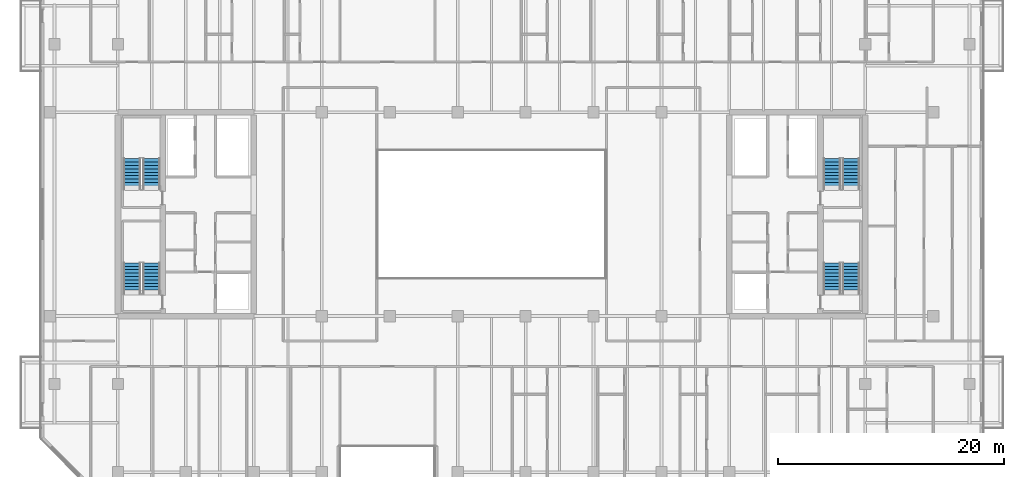
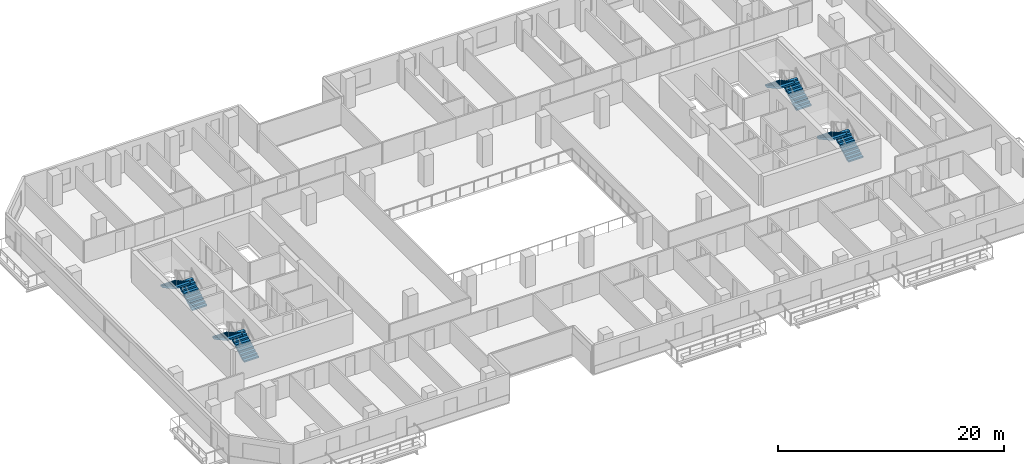
# One storey, part 17 of 23: 8 stair flights, 4 elements without a shape of their own.
"""IFC4 building model written with IfcOpenShell, lengths in metres."""

from ifc_helpers import new_model, si_unit, direction, frame, origin, place, context, subcontext, project, spatial, polyline, outline, extrude, material, type_object, element, aggregate, save


model = new_model("IFC4")

# Units and contexts
model_context = context("Model", 3, precision=1e-05, world=origin(), true_north=direction((0.0, 1.0)))
body_context = subcontext(model_context, "Body", "Model", "MODEL_VIEW")
ifc_project = project(units=[si_unit("LENGTHUNIT", "METRE"), si_unit("AREAUNIT", "SQUARE_METRE"), si_unit("VOLUMEUNIT", "CUBIC_METRE"), si_unit("PLANEANGLEUNIT", "RADIAN"), si_unit("MASSUNIT", "GRAM", prefix="KILO")], contexts=[model_context])

# Site, building, storey
site_placement = place(None, origin())
site = spatial("IfcSite", under=ifc_project, at=site_placement, CompositionType="ELEMENT")
building_placement = place(site_placement, origin())
building = spatial("IfcBuilding", under=site, at=building_placement, Name="Tanjung Sevakor Pilgrim Tower", CompositionType="ELEMENT")
storey_placement = place(building_placement, frame((0.0, 0.0, 101.969970703125)))
storey = spatial("IfcBuildingStorey", under=building, at=storey_placement, Name="L28", CompositionType="ELEMENT", Elevation=101.969970703125)

# Stair, stair flights
ifc_material_1 = material(Name="Concrete C40/50", Category="concrete")
stair_type = type_object("IfcStairType", Name="STAIR-ST-CR150", PredefinedType="HALF_TURN_STAIR", material=ifc_material_1)
stair_1_placement = place(storey_placement, origin())
stair_1 = element("IfcStair", 1, at=stair_1_placement, inside=storey, type_object=stair_type, Name="L28 West Core Exit Stair 1", PredefinedType="HALF_TURN_STAIR")
ifc_material_2 = material(Name="Concrete C40/50", Category="concrete")
stair_flight_type = type_object("IfcStairFlightType", Name="FLIGHT-ST-CR150", PredefinedType="STRAIGHT", material=ifc_material_2)
stair_flight_1_placement = place(storey_placement, frame((26.949951171875, 26.60009765625, 0.0), z_axis=(0.0, 0.0, 1.0), x_axis=(0.0, 1.0, 0.0)))
stair_flight_1 = element("IfcStairFlight", 2, at=stair_flight_1_placement, type_object=stair_flight_type, Name="TS-W1 flight 1", NumberOfRisers=10, NumberOfTreads=9, PredefinedType="STRAIGHT", RiserHeight=0.165, TreadLength=0.3, context=body_context, shape_type="SweptSolid", body=[
    extrude(outline(polyline([(0.0, 0.0), (0.0, 0.1650390625), (0.300048828125, 0.1650390625), (0.300048828125, 0.330078125), (0.60009765625, 0.330078125), (0.60009765625, 0.4951171875), (0.89990234375, 0.4951171875), (0.89990234375, 0.659912109375), (1.199951171875, 0.659912109375), (1.199951171875, 0.824951171875), (1.5, 0.824951171875), (1.5, 0.989990234375), (1.800048828125, 0.989990234375), (1.800048828125, 1.155029296875), (2.10009765625, 1.155029296875), (2.10009765625, 1.320068359375), (2.39990234375, 1.320068359375), (2.39990234375, 1.485107421875), (2.699951171875, 1.485107421875), (2.699951171875, 1.64990234375), (2.699951171875, 1.302490234375), (0.331787109375, 0.0), (0.0, 0.0)])), frame((0.0, 0.75, 0.0), z_axis=(0.0, -1.0, 0.0), x_axis=(1.0, 0.0, 0.0)), (0.0, 0.0, 1.0), 1.5),
])
stair_flight_2_placement = place(storey_placement, frame((25.25, 29.300048828125, 1.650146484375), z_axis=(0.0, 0.0, 1.0), x_axis=(0.0, -1.0, 0.0)))
stair_flight_2 = element("IfcStairFlight", 3, at=stair_flight_2_placement, type_object=stair_flight_type, Name="TS-W1 flight 2", NumberOfRisers=10, NumberOfTreads=9, PredefinedType="STRAIGHT", RiserHeight=0.165, TreadLength=0.3, context=body_context, shape_type="SweptSolid", body=[
    extrude(outline(polyline([(0.0, 0.0), (0.0, 0.1650390625), (0.300048828125, 0.1650390625), (0.300048828125, 0.330078125), (0.60009765625, 0.330078125), (0.60009765625, 0.4951171875), (0.89990234375, 0.4951171875), (0.89990234375, 0.659912109375), (1.199951171875, 0.659912109375), (1.199951171875, 0.824951171875), (1.5, 0.824951171875), (1.5, 0.989990234375), (1.800048828125, 0.989990234375), (1.800048828125, 1.155029296875), (2.10009765625, 1.155029296875), (2.10009765625, 1.320068359375), (2.39990234375, 1.320068359375), (2.39990234375, 1.485107421875), (2.699951171875, 1.485107421875), (2.699951171875, 1.64990234375), (2.699951171875, 1.302490234375), (0.331787109375, 0.0), (0.0, 0.0)])), frame((0.0, 0.75, 0.0), z_axis=(0.0, -1.0, 0.0), x_axis=(1.0, 0.0, 0.0)), (0.0, 0.0, 1.0), 1.5),
])
aggregate(stair_1, [stair_flight_1, stair_flight_2])

stair_2_placement = place(storey_placement, origin())
stair_2 = element("IfcStair", 4, at=stair_2_placement, inside=storey, type_object=stair_type, Name="L28 West Core Exit Stair 2", PredefinedType="HALF_TURN_STAIR")
stair_flight_3_placement = place(storey_placement, frame((26.949951171875, 35.800048828125, 0.0), z_axis=(0.0, 0.0, 1.0), x_axis=(0.0, 1.0, 0.0)))
stair_flight_3 = element("IfcStairFlight", 5, at=stair_flight_3_placement, type_object=stair_flight_type, Name="TS-W2 flight 1", NumberOfRisers=10, NumberOfTreads=9, PredefinedType="STRAIGHT", RiserHeight=0.165, TreadLength=0.3, context=body_context, shape_type="SweptSolid", body=[
    extrude(outline(polyline([(0.0, 0.0), (0.0, 0.1650390625), (0.300048828125, 0.1650390625), (0.300048828125, 0.330078125), (0.60009765625, 0.330078125), (0.60009765625, 0.4951171875), (0.89990234375, 0.4951171875), (0.89990234375, 0.659912109375), (1.199951171875, 0.659912109375), (1.199951171875, 0.824951171875), (1.5, 0.824951171875), (1.5, 0.989990234375), (1.800048828125, 0.989990234375), (1.800048828125, 1.155029296875), (2.10009765625, 1.155029296875), (2.10009765625, 1.320068359375), (2.39990234375, 1.320068359375), (2.39990234375, 1.485107421875), (2.699951171875, 1.485107421875), (2.699951171875, 1.64990234375), (2.699951171875, 1.302490234375), (0.331787109375, 0.0), (0.0, 0.0)])), frame((0.0, 0.75, 0.0), z_axis=(0.0, -1.0, 0.0), x_axis=(1.0, 0.0, 0.0)), (0.0, 0.0, 1.0), 1.5),
])
stair_flight_4_placement = place(storey_placement, frame((25.25, 38.5, 1.650146484375), z_axis=(0.0, 0.0, 1.0), x_axis=(0.0, -1.0, 0.0)))
stair_flight_4 = element("IfcStairFlight", 6, at=stair_flight_4_placement, type_object=stair_flight_type, Name="TS-W2 flight 2", NumberOfRisers=10, NumberOfTreads=9, PredefinedType="STRAIGHT", RiserHeight=0.165, TreadLength=0.3, context=body_context, shape_type="SweptSolid", body=[
    extrude(outline(polyline([(0.0, 0.0), (0.0, 0.1650390625), (0.300048828125, 0.1650390625), (0.300048828125, 0.330078125), (0.60009765625, 0.330078125), (0.60009765625, 0.4951171875), (0.89990234375, 0.4951171875), (0.89990234375, 0.659912109375), (1.199951171875, 0.659912109375), (1.199951171875, 0.824951171875), (1.5, 0.824951171875), (1.5, 0.989990234375), (1.800048828125, 0.989990234375), (1.800048828125, 1.155029296875), (2.10009765625, 1.155029296875), (2.10009765625, 1.320068359375), (2.39990234375, 1.320068359375), (2.39990234375, 1.485107421875), (2.699951171875, 1.485107421875), (2.699951171875, 1.64990234375), (2.699951171875, 1.302490234375), (0.331787109375, 0.0), (0.0, 0.0)])), frame((0.0, 0.75, 0.0), z_axis=(0.0, -1.0, 0.0), x_axis=(1.0, 0.0, 0.0)), (0.0, 0.0, 1.0), 1.5),
])
aggregate(stair_2, [stair_flight_3, stair_flight_4])

stair_3_placement = place(storey_placement, origin())
stair_3 = element("IfcStair", 7, at=stair_3_placement, inside=storey, type_object=stair_type, Name="L28 East Core Exit Stair 1", PredefinedType="HALF_TURN_STAIR")
stair_flight_5_placement = place(storey_placement, frame((88.75, 26.60009765625, 0.0), z_axis=(0.0, 0.0, 1.0), x_axis=(0.0, 1.0, 0.0)))
stair_flight_5 = element("IfcStairFlight", 8, at=stair_flight_5_placement, type_object=stair_flight_type, Name="TS-E1 flight 1", NumberOfRisers=10, NumberOfTreads=9, PredefinedType="STRAIGHT", RiserHeight=0.165, TreadLength=0.3, context=body_context, shape_type="SweptSolid", body=[
    extrude(outline(polyline([(0.0, 0.0), (0.0, 0.1650390625), (0.300048828125, 0.1650390625), (0.300048828125, 0.330078125), (0.60009765625, 0.330078125), (0.60009765625, 0.4951171875), (0.89990234375, 0.4951171875), (0.89990234375, 0.659912109375), (1.199951171875, 0.659912109375), (1.199951171875, 0.824951171875), (1.5, 0.824951171875), (1.5, 0.989990234375), (1.800048828125, 0.989990234375), (1.800048828125, 1.155029296875), (2.10009765625, 1.155029296875), (2.10009765625, 1.320068359375), (2.39990234375, 1.320068359375), (2.39990234375, 1.485107421875), (2.699951171875, 1.485107421875), (2.699951171875, 1.64990234375), (2.699951171875, 1.302490234375), (0.331787109375, 0.0), (0.0, 0.0)])), frame((0.0, 0.75, 0.0), z_axis=(0.0, -1.0, 0.0), x_axis=(1.0, 0.0, 0.0)), (0.0, 0.0, 1.0), 1.5),
])
stair_flight_6_placement = place(storey_placement, frame((87.050048828125, 29.300048828125, 1.650146484375), z_axis=(0.0, 0.0, 1.0), x_axis=(0.0, -1.0, 0.0)))
stair_flight_6 = element("IfcStairFlight", 9, at=stair_flight_6_placement, type_object=stair_flight_type, Name="TS-E1 flight 2", NumberOfRisers=10, NumberOfTreads=9, PredefinedType="STRAIGHT", RiserHeight=0.165, TreadLength=0.3, context=body_context, shape_type="SweptSolid", body=[
    extrude(outline(polyline([(0.0, 0.0), (0.0, 0.1650390625), (0.300048828125, 0.1650390625), (0.300048828125, 0.330078125), (0.60009765625, 0.330078125), (0.60009765625, 0.4951171875), (0.89990234375, 0.4951171875), (0.89990234375, 0.659912109375), (1.199951171875, 0.659912109375), (1.199951171875, 0.824951171875), (1.5, 0.824951171875), (1.5, 0.989990234375), (1.800048828125, 0.989990234375), (1.800048828125, 1.155029296875), (2.10009765625, 1.155029296875), (2.10009765625, 1.320068359375), (2.39990234375, 1.320068359375), (2.39990234375, 1.485107421875), (2.699951171875, 1.485107421875), (2.699951171875, 1.64990234375), (2.699951171875, 1.302490234375), (0.331787109375, 0.0), (0.0, 0.0)])), frame((0.0, 0.75, 0.0), z_axis=(0.0, -1.0, 0.0), x_axis=(1.0, 0.0, 0.0)), (0.0, 0.0, 1.0), 1.5),
])
aggregate(stair_3, [stair_flight_5, stair_flight_6])

stair_4_placement = place(storey_placement, origin())
stair_4 = element("IfcStair", 10, at=stair_4_placement, inside=storey, type_object=stair_type, Name="L28 East Core Exit Stair 2", PredefinedType="HALF_TURN_STAIR")
stair_flight_7_placement = place(storey_placement, frame((88.75, 35.800048828125, 0.0), z_axis=(0.0, 0.0, 1.0), x_axis=(0.0, 1.0, 0.0)))
stair_flight_7 = element("IfcStairFlight", 11, at=stair_flight_7_placement, type_object=stair_flight_type, Name="TS-E2 flight 1", NumberOfRisers=10, NumberOfTreads=9, PredefinedType="STRAIGHT", RiserHeight=0.165, TreadLength=0.3, context=body_context, shape_type="SweptSolid", body=[
    extrude(outline(polyline([(0.0, 0.0), (0.0, 0.1650390625), (0.300048828125, 0.1650390625), (0.300048828125, 0.330078125), (0.60009765625, 0.330078125), (0.60009765625, 0.4951171875), (0.89990234375, 0.4951171875), (0.89990234375, 0.659912109375), (1.199951171875, 0.659912109375), (1.199951171875, 0.824951171875), (1.5, 0.824951171875), (1.5, 0.989990234375), (1.800048828125, 0.989990234375), (1.800048828125, 1.155029296875), (2.10009765625, 1.155029296875), (2.10009765625, 1.320068359375), (2.39990234375, 1.320068359375), (2.39990234375, 1.485107421875), (2.699951171875, 1.485107421875), (2.699951171875, 1.64990234375), (2.699951171875, 1.302490234375), (0.331787109375, 0.0), (0.0, 0.0)])), frame((0.0, 0.75, 0.0), z_axis=(0.0, -1.0, 0.0), x_axis=(1.0, 0.0, 0.0)), (0.0, 0.0, 1.0), 1.5),
])
stair_flight_8_placement = place(storey_placement, frame((87.050048828125, 38.5, 1.650146484375), z_axis=(0.0, 0.0, 1.0), x_axis=(0.0, -1.0, 0.0)))
stair_flight_8 = element("IfcStairFlight", 12, at=stair_flight_8_placement, type_object=stair_flight_type, Name="TS-E2 flight 2", NumberOfRisers=10, NumberOfTreads=9, PredefinedType="STRAIGHT", RiserHeight=0.165, TreadLength=0.3, context=body_context, shape_type="SweptSolid", body=[
    extrude(outline(polyline([(0.0, 0.0), (0.0, 0.1650390625), (0.300048828125, 0.1650390625), (0.300048828125, 0.330078125), (0.60009765625, 0.330078125), (0.60009765625, 0.4951171875), (0.89990234375, 0.4951171875), (0.89990234375, 0.659912109375), (1.199951171875, 0.659912109375), (1.199951171875, 0.824951171875), (1.5, 0.824951171875), (1.5, 0.989990234375), (1.800048828125, 0.989990234375), (1.800048828125, 1.155029296875), (2.10009765625, 1.155029296875), (2.10009765625, 1.320068359375), (2.39990234375, 1.320068359375), (2.39990234375, 1.485107421875), (2.699951171875, 1.485107421875), (2.699951171875, 1.64990234375), (2.699951171875, 1.302490234375), (0.331787109375, 0.0), (0.0, 0.0)])), frame((0.0, 0.75, 0.0), z_axis=(0.0, -1.0, 0.0), x_axis=(1.0, 0.0, 0.0)), (0.0, 0.0, 1.0), 1.5),
])
aggregate(stair_4, [stair_flight_7, stair_flight_8])

save(model, "model.ifc")
